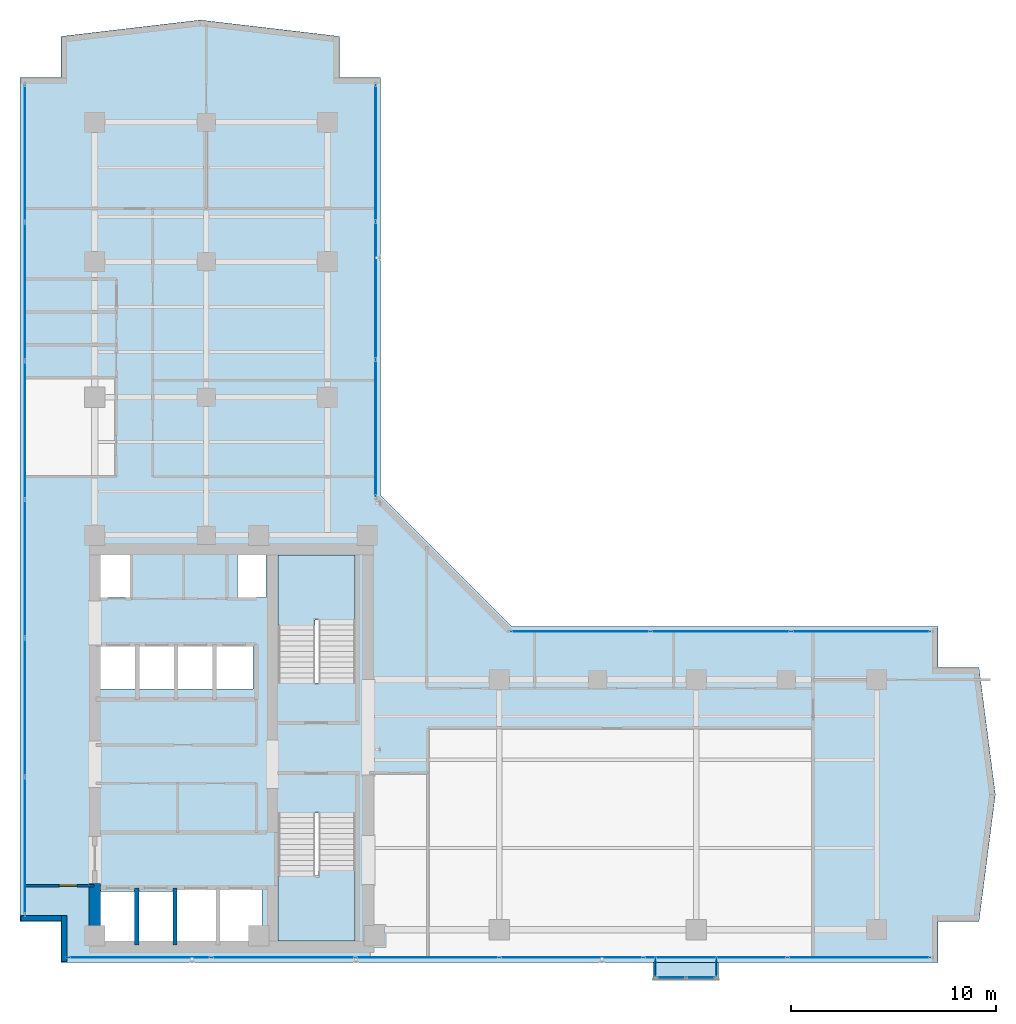
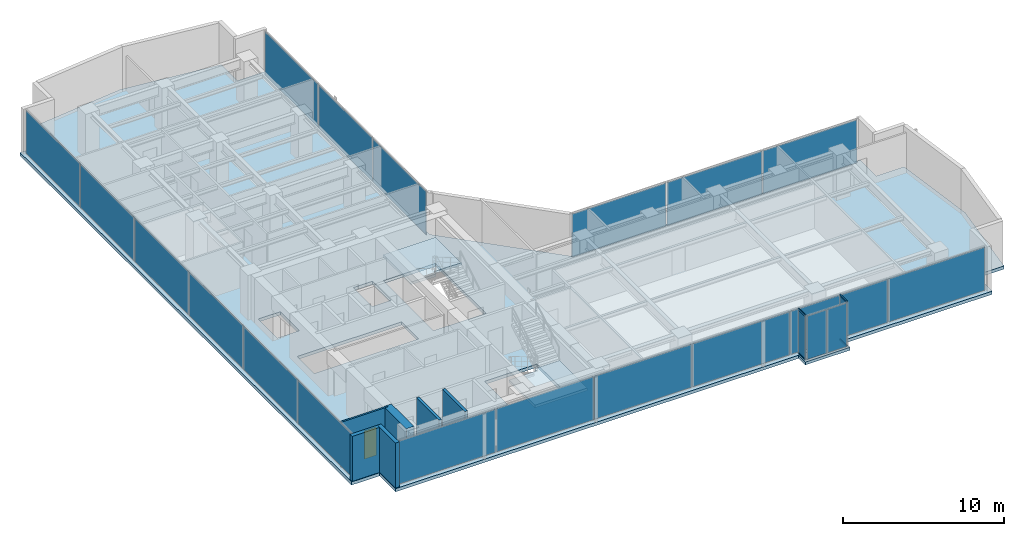
# One storey, part 16 of 24: 22 plates, 6 walls, 4 members, 4 slabs, 1 door, 1 opening, 9 elements without a shape of their own.
"""IFC4 building model written with IfcOpenShell, lengths in metres."""

from ifc_helpers import new_model, si_unit, direction, frame, frame_2d, origin, origin_with_axes, origin_2d, place, context, subcontext, project, spatial, polyline, rectangle, hollow_rectangle, outline, extrude, source, transform, mapped, material, layer, layer_set, material_profile, profile_set, type_object, element, fill, aggregate, save


model = new_model("IFC4")

# Units and contexts
model_context = context("Model", 3, precision=1e-05, world=origin(), true_north=direction((0.0, 1.0)))
body_context = subcontext(model_context, "Body", "Model", "MODEL_VIEW")
ifc_project = project(units=[si_unit("LENGTHUNIT", "METRE"), si_unit("AREAUNIT", "SQUARE_METRE"), si_unit("VOLUMEUNIT", "CUBIC_METRE"), si_unit("PLANEANGLEUNIT", "RADIAN"), si_unit("MASSUNIT", "GRAM", prefix="KILO")], contexts=[model_context])

# Site, building, storey
site_placement = place(None, origin())
site = spatial("IfcSite", under=ifc_project, at=site_placement, CompositionType="ELEMENT")
building_placement = place(site_placement, origin())
building = spatial("IfcBuilding", under=site, at=building_placement, Name="Kolvaren Waterfront Exchange", CompositionType="ELEMENT")
storey_placement = place(building_placement, frame((0.0, 0.0, 253.89990234375)))
storey = spatial("IfcBuildingStorey", under=building, at=storey_placement, Name="L65", CompositionType="ELEMENT", Elevation=253.89990234375)

# Curtain wall, members
ifc_material_1 = material(Name="Anodised bronze aluminium 6063-T6", Category="aluminium")
ifc_layer_1 = layer(ifc_material_1, 0.219970703125, Name="Anodised bronze aluminium 6063-T6")
ifc_layer_set_1 = layer_set([ifc_layer_1], Name="Anodised bronze aluminium 6063-T6")
curtain_wall_type_1 = type_object("IfcCurtainWallType", Name="ARC-CW-SYS3", PredefinedType="USERDEFINED", material=ifc_layer_set_1)
curtain_wall_1_placement = place(storey_placement, origin())
curtain_wall_1 = element("IfcCurtainWall", 1, at=curtain_wall_1_placement, inside=storey, type_object=curtain_wall_type_1, Name="L65 stick curtain wall CW3 (CW-L65-BOX-W)", ObjectType="STICK CURTAIN WALL", PredefinedType="USERDEFINED")
ifc_material_profile = material_profile(ifc_material_1, hollow_rectangle(XDim=0.06494140625, YDim=0.1298828125, WallThickness=0.00390625, at=origin_2d()), Name="ALU-TRN-130x65x4")
ifc_profile_set = profile_set([ifc_material_profile], Name="Anodised bronze aluminium 6063-T6")
member_type = type_object("IfcMemberType", Name="ARC-CWT-130", PredefinedType="USERDEFINED", material=ifc_profile_set)
shared_shape_1 = source(origin_with_axes(), body_context, "Body", "SweptSolid", [
    extrude(hollow_rectangle(XDim=0.06494140625, YDim=0.1298828125, WallThickness=0.00390625, at=origin_2d()), origin(), (0.0, 0.0, 1.0), 0.829833984375),
])
member_1_placement = place(storey_placement, frame((34.81005859375, 3.764892578125, 0.03271484375), z_axis=(0.0, -1.0, 0.0), x_axis=(1.0, 0.0, 0.0)))
member_1 = element("IfcMember", 2, at=member_1_placement, type_object=member_type, Name="CW3 transom 1.1", ObjectType="TRANSOM", PredefinedType="USERDEFINED", context=body_context, shape_type="MappedRepresentation", body=[
    mapped(shared_shape_1, transform((0.0, 0.0, 0.0), x_axis=(1.0, 0.0, 0.0), y_axis=(0.0, 1.0, 0.0), z_axis=(0.0, 0.0, 1.0), scale=1.0)),
])
member_2_placement = place(storey_placement, frame((34.81005859375, 3.764892578125, 3.3876953125), z_axis=(0.0, -1.0, 0.0), x_axis=(1.0, 0.0, 0.0)))
member_2 = element("IfcMember", 3, at=member_2_placement, type_object=member_type, Name="CW3 transom 1.2", ObjectType="TRANSOM", PredefinedType="USERDEFINED", context=body_context, shape_type="MappedRepresentation", body=[
    mapped(shared_shape_1, transform((0.0, 0.0, 0.0), x_axis=(1.0, 0.0, 0.0), y_axis=(0.0, 1.0, 0.0), z_axis=(0.0, 0.0, 1.0), scale=1.0)),
])

curtain_wall_2_placement = place(storey_placement, origin())
curtain_wall_2 = element("IfcCurtainWall", 4, at=curtain_wall_2_placement, inside=storey, type_object=curtain_wall_type_1, Name="L65 stick curtain wall CW3 (CW-L65-BOX-E)", ObjectType="STICK CURTAIN WALL", PredefinedType="USERDEFINED")
member_3_placement = place(storey_placement, frame((37.7900390625, 2.93505859375, 0.03271484375), z_axis=(0.0, 1.0, 0.0), x_axis=(-1.0, 0.0, 0.0)))
member_3 = element("IfcMember", 5, at=member_3_placement, type_object=member_type, Name="CW3 transom 1.1", ObjectType="TRANSOM", PredefinedType="USERDEFINED", context=body_context, shape_type="MappedRepresentation", body=[
    mapped(shared_shape_1, transform((0.0, 0.0, 0.0), x_axis=(1.0, 0.0, 0.0), y_axis=(0.0, 1.0, 0.0), z_axis=(0.0, 0.0, 1.0), scale=1.0)),
])
member_4_placement = place(storey_placement, frame((37.7900390625, 2.93505859375, 3.3876953125), z_axis=(0.0, 1.0, 0.0), x_axis=(-1.0, 0.0, 0.0)))
member_4 = element("IfcMember", 6, at=member_4_placement, type_object=member_type, Name="CW3 transom 1.2", ObjectType="TRANSOM", PredefinedType="USERDEFINED", context=body_context, shape_type="MappedRepresentation", body=[
    mapped(shared_shape_1, transform((0.0, 0.0, 0.0), x_axis=(1.0, 0.0, 0.0), y_axis=(0.0, 1.0, 0.0), z_axis=(0.0, 0.0, 1.0), scale=1.0)),
])

# Stair, slab
ifc_material_2 = material(Name="Concrete C40/50", Category="concrete")
stair_type = type_object("IfcStairType", Name="ARC-STAIR-3800", PredefinedType="HALF_TURN_STAIR", material=ifc_material_2)
stair_1_placement = place(storey_placement, origin())
stair_1 = element("IfcStair", 7, at=stair_1_placement, inside=storey, type_object=stair_type, Name="L65 Smoke-proof exit stair ST1", PredefinedType="HALF_TURN_STAIR")
ifc_layer_2 = layer(ifc_material_2, 0.199951171875, Name="Concrete C40/50")
ifc_layer_set_2 = layer_set([ifc_layer_2], Name="Concrete C40/50")
slab_type_1 = type_object("IfcSlabType", Name="STR-LANDING-200", PredefinedType="LANDING", material=ifc_layer_set_2)
slab_1_placement = place(storey_placement, frame((0.0, 0.0, 1.776123046875)))
slab_1 = element("IfcSlab", 8, at=slab_1_placement, type_object=slab_type_1, Name="ST1 landing 1", PredefinedType="LANDING", context=body_context, shape_type="SweptSolid", body=[
    extrude(outline(polyline([(16.39990234375, 7.840087890625), (16.39990234375, 4.64990234375), (20.159912109375, 4.64990234375), (20.159912109375, 8.10009765625), (18.360107421875, 8.10009765625), (18.360107421875, 7.840087890625), (16.39990234375, 7.840087890625)])), origin(), (0.0, 0.0, 1.0), 0.199951171875),
])
aggregate(stair_1, [slab_1])

stair_2_placement = place(storey_placement, origin())
stair_2 = element("IfcStair", 9, at=stair_2_placement, inside=storey, type_object=stair_type, Name="L65 Smoke-proof exit stair ST2", PredefinedType="HALF_TURN_STAIR")
slab_2_placement = place(storey_placement, frame((0.0, 0.0, 1.776123046875)))
slab_2 = element("IfcSlab", 10, at=slab_2_placement, type_object=slab_type_1, Name="ST2 landing 1", PredefinedType="LANDING", context=body_context, shape_type="SweptSolid", body=[
    extrude(outline(polyline([(20.159912109375, 20.31005859375), (20.159912109375, 23.5), (16.39990234375, 23.5), (16.39990234375, 20.050048828125), (18.199951171875, 20.050048828125), (18.199951171875, 20.31005859375), (20.159912109375, 20.31005859375)])), origin(), (0.0, 0.0, 1.0), 0.199951171875),
])
aggregate(stair_2, [slab_2])

# Slabs
ifc_layer_3 = layer(ifc_material_2, 0.239990234375, Name="Concrete C40/50")
ifc_layer_set_3 = layer_set([ifc_layer_3], Name="Concrete C40/50")
slab_type_2 = type_object("IfcSlabType", Name="STR-SLAB-240", PredefinedType="FLOOR", material=ifc_layer_set_3)
slab_3_placement = place(storey_placement, frame((0.0, 0.0, -0.239990234375)))
element("IfcSlab", 11, at=slab_3_placement, inside=storey, type_object=slab_type_2, Name="L65 structural floor slab", PredefinedType="FLOOR", context=body_context, shape_type="SweptSolid", body=[
    extrude(outline(polyline([(5.800048828125, 3.60009765625), (48.60009765625, 3.60009765625), (48.60009765625, 5.60009765625), (50.60009765625, 5.60009765625), (51.39990234375, 11.800048828125), (50.60009765625, 18.0), (48.60009765625, 18.0), (48.60009765625, 20.0), (27.800048828125, 20.0), (21.39990234375, 26.39990234375), (21.39990234375, 46.800048828125), (19.39990234375, 46.800048828125), (19.39990234375, 48.800048828125), (12.60009765625, 49.60009765625), (5.800048828125, 48.800048828125), (5.800048828125, 46.800048828125), (3.800048828125, 46.800048828125), (3.800048828125, 5.60009765625), (5.800048828125, 5.60009765625), (5.800048828125, 3.60009765625)]), holes=[polyline([(11.320068359375, 7.260009765625), (15.610107421875, 7.260009765625), (15.610107421875, 4.5400390625), (7.719970703125, 4.5400390625), (7.719970703125, 7.06005859375), (11.320068359375, 7.06005859375), (11.320068359375, 7.260009765625)]), polyline([(20.159912109375, 10.89990234375), (20.159912109375, 4.64990234375), (16.39990234375, 4.64990234375), (16.39990234375, 10.89990234375), (20.159912109375, 10.89990234375)]), polyline([(7.669921875, 19.06005859375), (15.159912109375, 19.06005859375), (15.159912109375, 16.93994140625), (7.669921875, 16.93994140625), (7.669921875, 19.06005859375)]), polyline([(16.39990234375, 17.25), (16.39990234375, 23.5), (20.159912109375, 23.5), (20.159912109375, 17.25), (16.39990234375, 17.25)]), polyline([(7.60009765625, 23.780029296875), (9.179931640625, 23.780029296875), (9.179931640625, 21.419921875), (7.60009765625, 21.419921875), (7.60009765625, 23.780029296875)]), polyline([(14.419921875, 23.780029296875), (15.800048828125, 23.780029296875), (15.800048828125, 21.419921875), (14.419921875, 21.419921875), (14.419921875, 23.780029296875)])]), origin(), (0.0, 0.0, 1.0), 0.239990234375),
])
ifc_layer_4 = layer(ifc_material_2, 0.219970703125, Name="Concrete C40/50")
ifc_layer_set_4 = layer_set([ifc_layer_4], Name="Concrete C40/50")
slab_type_3 = type_object("IfcSlabType", Name="STR-TERR-220", PredefinedType="FLOOR", material=ifc_layer_set_4)
slab_4_placement = place(storey_placement, frame((0.0, 0.0, -0.219970703125)))
element("IfcSlab", 12, at=slab_4_placement, inside=storey, type_object=slab_type_3, Name="L65 projecting bay-box floor strip", PredefinedType="FLOOR", context=body_context, shape_type="SweptSolid", body=[
    extrude(outline(polyline([(34.699951171875, 2.75), (37.89990234375, 2.75), (37.89990234375, 3.60009765625), (34.699951171875, 3.60009765625), (34.699951171875, 2.75)])), origin(), (0.0, 0.0, 1.0), 0.219970703125),
])

# Plate
ifc_material_3 = material(Name="Bronze tinted bay-box vision glass", Category="aluminium")
ifc_layer_5 = layer(ifc_material_3, 0.02392578125, Name="Bronze tinted bay-box vision glass")
ifc_layer_set_5 = layer_set([ifc_layer_5], Name="Bronze tinted bay-box vision glass")
plate_type_1 = type_object("IfcPlateType", Name="ARC-CWP-24", PredefinedType="CURTAIN_PANEL", material=ifc_layer_set_5)
shared_shape_2 = source(origin_with_axes(), body_context, "Body", "SweptSolid", [
    extrude(rectangle(XDim=0.830078125, YDim=0.02392578125, at=origin_2d()), origin(), (0.0, 0.0, 1.0), 3.2900390625),
])
plate_1_placement = place(storey_placement, frame((34.81005859375, 3.35009765625, 0.065185546875), z_axis=(0.0, 0.0, 1.0), x_axis=(0.0, -1.0, 0.0)))
plate_1 = element("IfcPlate", 13, at=plate_1_placement, type_object=plate_type_1, Name="CW3 panel 1.1", PredefinedType="CURTAIN_PANEL", context=body_context, shape_type="MappedRepresentation", body=[
    mapped(shared_shape_2, transform((0.0, 0.0, 0.0), x_axis=(1.0, 0.0, 0.0), y_axis=(0.0, 1.0, 0.0), z_axis=(0.0, 0.0, 1.0), scale=1.0)),
])

aggregate(curtain_wall_1, [member_1, member_2, plate_1])

plate_2_placement = place(storey_placement, frame((37.7900390625, 3.35009765625, 0.065185546875), z_axis=(0.0, 0.0, 1.0), x_axis=(0.0, 1.0, 0.0)))
plate_2 = element("IfcPlate", 14, at=plate_2_placement, type_object=plate_type_1, Name="CW3 panel 1.1", PredefinedType="CURTAIN_PANEL", context=body_context, shape_type="MappedRepresentation", body=[
    mapped(shared_shape_2, transform((0.0, 0.0, 0.0), x_axis=(1.0, 0.0, 0.0), y_axis=(0.0, 1.0, 0.0), z_axis=(0.0, 0.0, 1.0), scale=1.0)),
])

aggregate(curtain_wall_2, [member_3, member_4, plate_2])

# Curtain wall, plates
curtain_wall_3_placement = place(storey_placement, origin())
curtain_wall_3 = element("IfcCurtainWall", 15, at=curtain_wall_3_placement, inside=storey, type_object=curtain_wall_type_1, Name="L65 stick curtain wall CW3 (CW-L65-BOX)", ObjectType="STICK CURTAIN WALL", PredefinedType="USERDEFINED")
shared_shape_3 = source(origin_with_axes(), body_context, "Body", "SweptSolid", [
    extrude(rectangle(XDim=1.37744140625, YDim=0.02392578125, at=origin_2d()), origin(), (0.0, 0.0, 1.0), 3.2900390625),
])
plate_3_placement = place(storey_placement, frame((35.57373046875, 2.860107421875, 0.065185546875), z_axis=(0.0, 0.0, 1.0), x_axis=(1.0, 0.0, 0.0)))
plate_3 = element("IfcPlate", 16, at=plate_3_placement, type_object=plate_type_1, Name="CW3 panel 1.1", PredefinedType="CURTAIN_PANEL", context=body_context, shape_type="MappedRepresentation", body=[
    mapped(shared_shape_3, transform((0.0, 0.0, 0.0), x_axis=(1.0, 0.0, 0.0), y_axis=(0.0, 1.0, 0.0), z_axis=(0.0, 0.0, 1.0), scale=1.0)),
])
plate_4_placement = place(storey_placement, frame((37.0263671875, 2.860107421875, 0.065185546875), z_axis=(0.0, 0.0, 1.0), x_axis=(1.0, 0.0, 0.0)))
plate_4 = element("IfcPlate", 17, at=plate_4_placement, type_object=plate_type_1, Name="CW3 panel 2.1", PredefinedType="CURTAIN_PANEL", context=body_context, shape_type="MappedRepresentation", body=[
    mapped(shared_shape_3, transform((0.0, 0.0, 0.0), x_axis=(1.0, 0.0, 0.0), y_axis=(0.0, 1.0, 0.0), z_axis=(0.0, 0.0, 1.0), scale=1.0)),
])
aggregate(curtain_wall_3, [plate_3, plate_4])

ifc_material_4 = material(Name="Anodised aluminium 6063-T6", Category="aluminium")
ifc_layer_6 = layer(ifc_material_4, 0.219970703125, Name="Anodised aluminium 6063-T6")
ifc_layer_set_6 = layer_set([ifc_layer_6], Name="Anodised aluminium 6063-T6")
curtain_wall_type_2 = type_object("IfcCurtainWallType", Name="ARC-CW-SYS2", PredefinedType="USERDEFINED", material=ifc_layer_set_6)
curtain_wall_4_placement = place(storey_placement, origin())
curtain_wall_4 = element("IfcCurtainWall", 18, at=curtain_wall_4_placement, inside=storey, type_object=curtain_wall_type_2, Name="L65 stick curtain wall CW2 (CW-L65-W)", ObjectType="STICK CURTAIN WALL", PredefinedType="USERDEFINED")
ifc_material_5 = material(Name="Acoustic laminated vision glass", Category="glass")
ifc_layer_7 = layer(ifc_material_5, 0.031982421875, Name="Acoustic laminated vision glass")
ifc_layer_set_7 = layer_set([ifc_layer_7], Name="Acoustic laminated vision glass")
plate_type_2 = type_object("IfcPlateType", Name="ARC-CWP-32", PredefinedType="CURTAIN_PANEL", material=ifc_layer_set_7)
shared_shape_4 = source(origin_with_axes(), body_context, "Body", "SweptSolid", [
    extrude(rectangle(XDim=6.646728515625, YDim=0.031982421875, at=origin_2d()), origin(), (0.0, 0.0, 1.0), 3.27001953125),
])
plate_5_placement = place(storey_placement, frame((4.0400390625, 9.30322265625, 0.0751953125), z_axis=(0.0, 0.0, 1.0), x_axis=(0.0, 1.0, 0.0)))
plate_5 = element("IfcPlate", 19, at=plate_5_placement, type_object=plate_type_2, Name="CW2 panel 1.1", PredefinedType="CURTAIN_PANEL", context=body_context, shape_type="MappedRepresentation", body=[
    mapped(shared_shape_4, transform((0.0, 0.0, 0.0), x_axis=(1.0, 0.0, 0.0), y_axis=(0.0, 1.0, 0.0), z_axis=(0.0, 0.0, 1.0), scale=1.0)),
])
plate_6_placement = place(storey_placement, frame((4.0400390625, 43.0966796875, 0.0751953125), z_axis=(0.0, 0.0, 1.0), x_axis=(0.0, 1.0, 0.0)))
plate_6 = element("IfcPlate", 20, at=plate_6_placement, type_object=plate_type_2, Name="CW2 panel 6.1", PredefinedType="CURTAIN_PANEL", context=body_context, shape_type="MappedRepresentation", body=[
    mapped(shared_shape_4, transform((0.0, 0.0, 0.0), x_axis=(1.0, 0.0, 0.0), y_axis=(0.0, 1.0, 0.0), z_axis=(0.0, 0.0, 1.0), scale=1.0)),
])
shared_shape_5 = source(origin_with_axes(), body_context, "Body", "SweptSolid", [
    extrude(rectangle(XDim=6.686767578125, YDim=0.031982421875, at=origin_2d()), origin(), (0.0, 0.0, 1.0), 3.27001953125),
])
plate_7_placement = place(storey_placement, frame((4.0400390625, 16.050048828125, 0.0751953125), z_axis=(0.0, 0.0, 1.0), x_axis=(0.0, 1.0, 0.0)))
plate_7 = element("IfcPlate", 21, at=plate_7_placement, type_object=plate_type_2, Name="CW2 panel 2.1", PredefinedType="CURTAIN_PANEL", context=body_context, shape_type="MappedRepresentation", body=[
    mapped(shared_shape_5, transform((0.0, 0.0, 0.0), x_axis=(1.0, 0.0, 0.0), y_axis=(0.0, 1.0, 0.0), z_axis=(0.0, 0.0, 1.0), scale=1.0)),
])
plate_8_placement = place(storey_placement, frame((4.0400390625, 22.816650390625, 0.0751953125), z_axis=(0.0, 0.0, 1.0), x_axis=(0.0, 1.0, 0.0)))
plate_8 = element("IfcPlate", 22, at=plate_8_placement, type_object=plate_type_2, Name="CW2 panel 3.1", PredefinedType="CURTAIN_PANEL", context=body_context, shape_type="MappedRepresentation", body=[
    mapped(shared_shape_5, transform((0.0, 0.0, 0.0), x_axis=(1.0, 0.0, 0.0), y_axis=(0.0, 1.0, 0.0), z_axis=(0.0, 0.0, 1.0), scale=1.0)),
])
plate_9_placement = place(storey_placement, frame((4.0400390625, 29.583251953125, 0.0751953125), z_axis=(0.0, 0.0, 1.0), x_axis=(0.0, 1.0, 0.0)))
plate_9 = element("IfcPlate", 23, at=plate_9_placement, type_object=plate_type_2, Name="CW2 panel 4.1", PredefinedType="CURTAIN_PANEL", context=body_context, shape_type="MappedRepresentation", body=[
    mapped(shared_shape_5, transform((0.0, 0.0, 0.0), x_axis=(1.0, 0.0, 0.0), y_axis=(0.0, 1.0, 0.0), z_axis=(0.0, 0.0, 1.0), scale=1.0)),
])
plate_10_placement = place(storey_placement, frame((4.0400390625, 36.35009765625, 0.0751953125), z_axis=(0.0, 0.0, 1.0), x_axis=(0.0, 1.0, 0.0)))
plate_10 = element("IfcPlate", 24, at=plate_10_placement, type_object=plate_type_2, Name="CW2 panel 5.1", PredefinedType="CURTAIN_PANEL", context=body_context, shape_type="MappedRepresentation", body=[
    mapped(shared_shape_5, transform((0.0, 0.0, 0.0), x_axis=(1.0, 0.0, 0.0), y_axis=(0.0, 1.0, 0.0), z_axis=(0.0, 0.0, 1.0), scale=1.0)),
])
aggregate(curtain_wall_4, [plate_5, plate_7, plate_8, plate_9, plate_10, plate_6])

ifc_layer_8 = layer(ifc_material_1, 0.219970703125, Name="Anodised bronze aluminium 6063-T6")
ifc_layer_set_8 = layer_set([ifc_layer_8], Name="Anodised bronze aluminium 6063-T6")
curtain_wall_type_3 = type_object("IfcCurtainWallType", Name="ARC-CW-SYS1", PredefinedType="USERDEFINED", material=ifc_layer_set_8)
curtain_wall_5_placement = place(storey_placement, origin())
curtain_wall_5 = element("IfcCurtainWall", 25, at=curtain_wall_5_placement, inside=storey, type_object=curtain_wall_type_3, Name="L65 stick curtain wall CW1 (CW-L65-S)", ObjectType="STICK CURTAIN WALL", PredefinedType="USERDEFINED")
ifc_material_6 = material(Name="Bronze solar control vision glass", Category="aluminium")
ifc_layer_9 = layer(ifc_material_6, 0.028076171875, Name="Bronze solar control vision glass")
ifc_layer_set_9 = layer_set([ifc_layer_9], Name="Bronze solar control vision glass")
plate_type_3 = type_object("IfcPlateType", Name="ARC-CWP-28", PredefinedType="CURTAIN_PANEL", material=ifc_layer_set_9)
shared_shape_6 = source(origin_with_axes(), body_context, "Body", "SweptSolid", [
    extrude(rectangle(XDim=6.913330078125, YDim=0.028076171875, at=origin_2d()), origin(), (0.0, 0.0, 1.0), 3.27001953125),
])
plate_11_placement = place(storey_placement, frame((9.63671875, 3.840087890625, 0.0751953125), z_axis=(0.0, 0.0, 1.0), x_axis=(1.0, 0.0, 0.0)))
plate_11 = element("IfcPlate", 26, at=plate_11_placement, type_object=plate_type_3, Name="CW1 panel 1.1", PredefinedType="CURTAIN_PANEL", context=body_context, shape_type="MappedRepresentation", body=[
    mapped(shared_shape_6, transform((0.0, 0.0, 0.0), x_axis=(1.0, 0.0, 0.0), y_axis=(0.0, 1.0, 0.0), z_axis=(0.0, 0.0, 1.0), scale=1.0)),
])
plate_12_placement = place(storey_placement, frame((44.763427734375, 3.840087890625, 0.0751953125), z_axis=(0.0, 0.0, 1.0), x_axis=(1.0, 0.0, 0.0)))
plate_12 = element("IfcPlate", 27, at=plate_12_placement, type_object=plate_type_3, Name="CW1 panel 6.1", PredefinedType="CURTAIN_PANEL", context=body_context, shape_type="MappedRepresentation", body=[
    mapped(shared_shape_6, transform((0.0, 0.0, 0.0), x_axis=(1.0, 0.0, 0.0), y_axis=(0.0, 1.0, 0.0), z_axis=(0.0, 0.0, 1.0), scale=1.0)),
])
shared_shape_7 = source(origin_with_axes(), body_context, "Body", "SweptSolid", [
    extrude(rectangle(XDim=6.953369140625, YDim=0.028076171875, at=origin_2d()), origin(), (0.0, 0.0, 1.0), 3.27001953125),
])
plate_13_placement = place(storey_placement, frame((16.64990234375, 3.840087890625, 0.0751953125), z_axis=(0.0, 0.0, 1.0), x_axis=(1.0, 0.0, 0.0)))
plate_13 = element("IfcPlate", 28, at=plate_13_placement, type_object=plate_type_3, Name="CW1 panel 2.1", PredefinedType="CURTAIN_PANEL", context=body_context, shape_type="MappedRepresentation", body=[
    mapped(shared_shape_7, transform((0.0, 0.0, 0.0), x_axis=(1.0, 0.0, 0.0), y_axis=(0.0, 1.0, 0.0), z_axis=(0.0, 0.0, 1.0), scale=1.0)),
])
plate_14_placement = place(storey_placement, frame((23.683349609375, 3.840087890625, 0.0751953125), z_axis=(0.0, 0.0, 1.0), x_axis=(1.0, 0.0, 0.0)))
plate_14 = element("IfcPlate", 29, at=plate_14_placement, type_object=plate_type_3, Name="CW1 panel 3.1", PredefinedType="CURTAIN_PANEL", context=body_context, shape_type="MappedRepresentation", body=[
    mapped(shared_shape_7, transform((0.0, 0.0, 0.0), x_axis=(1.0, 0.0, 0.0), y_axis=(0.0, 1.0, 0.0), z_axis=(0.0, 0.0, 1.0), scale=1.0)),
])
plate_15_placement = place(storey_placement, frame((30.716552734375, 3.840087890625, 0.0751953125), z_axis=(0.0, 0.0, 1.0), x_axis=(1.0, 0.0, 0.0)))
plate_15 = element("IfcPlate", 30, at=plate_15_placement, type_object=plate_type_3, Name="CW1 panel 4.1", PredefinedType="CURTAIN_PANEL", context=body_context, shape_type="MappedRepresentation", body=[
    mapped(shared_shape_7, transform((0.0, 0.0, 0.0), x_axis=(1.0, 0.0, 0.0), y_axis=(0.0, 1.0, 0.0), z_axis=(0.0, 0.0, 1.0), scale=1.0)),
])
plate_16_placement = place(storey_placement, frame((37.75, 3.840087890625, 0.0751953125), z_axis=(0.0, 0.0, 1.0), x_axis=(1.0, 0.0, 0.0)))
plate_16 = element("IfcPlate", 31, at=plate_16_placement, type_object=plate_type_3, Name="CW1 panel 5.1", PredefinedType="CURTAIN_PANEL", context=body_context, shape_type="MappedRepresentation", body=[
    mapped(shared_shape_7, transform((0.0, 0.0, 0.0), x_axis=(1.0, 0.0, 0.0), y_axis=(0.0, 1.0, 0.0), z_axis=(0.0, 0.0, 1.0), scale=1.0)),
])
aggregate(curtain_wall_5, [plate_11, plate_13, plate_14, plate_15, plate_16, plate_12])

curtain_wall_6_placement = place(storey_placement, origin())
curtain_wall_6 = element("IfcCurtainWall", 32, at=curtain_wall_6_placement, inside=storey, type_object=curtain_wall_type_3, Name="L65 stick curtain wall CW1 (CW-L65-NE)", ObjectType="STICK CURTAIN WALL", PredefinedType="USERDEFINED")
shared_shape_8 = source(origin_with_axes(), body_context, "Body", "SweptSolid", [
    extrude(rectangle(XDim=6.61669921875, YDim=0.028076171875, at=origin_2d()), origin(), (0.0, 0.0, 1.0), 3.27001953125),
])
plate_17_placement = place(storey_placement, frame((21.159912109375, 29.67822265625, 0.0751953125), z_axis=(0.0, 0.0, 1.0), x_axis=(0.0, 1.0, 0.0)))
plate_17 = element("IfcPlate", 33, at=plate_17_placement, type_object=plate_type_3, Name="CW1 panel 1.1", PredefinedType="CURTAIN_PANEL", context=body_context, shape_type="MappedRepresentation", body=[
    mapped(shared_shape_8, transform((0.0, 0.0, 0.0), x_axis=(1.0, 0.0, 0.0), y_axis=(0.0, 1.0, 0.0), z_axis=(0.0, 0.0, 1.0), scale=1.0)),
])
plate_18_placement = place(storey_placement, frame((21.159912109375, 43.111572265625, 0.0751953125), z_axis=(0.0, 0.0, 1.0), x_axis=(0.0, 1.0, 0.0)))
plate_18 = element("IfcPlate", 34, at=plate_18_placement, type_object=plate_type_3, Name="CW1 panel 3.1", PredefinedType="CURTAIN_PANEL", context=body_context, shape_type="MappedRepresentation", body=[
    mapped(shared_shape_8, transform((0.0, 0.0, 0.0), x_axis=(1.0, 0.0, 0.0), y_axis=(0.0, 1.0, 0.0), z_axis=(0.0, 0.0, 1.0), scale=1.0)),
])
shared_shape_9 = source(origin_with_axes(), body_context, "Body", "SweptSolid", [
    extrude(rectangle(XDim=6.65673828125, YDim=0.028076171875, at=origin_2d()), origin(), (0.0, 0.0, 1.0), 3.27001953125),
])
plate_19_placement = place(storey_placement, frame((21.159912109375, 36.39501953125, 0.0751953125), z_axis=(0.0, 0.0, 1.0), x_axis=(0.0, 1.0, 0.0)))
plate_19 = element("IfcPlate", 35, at=plate_19_placement, type_object=plate_type_3, Name="CW1 panel 2.1", PredefinedType="CURTAIN_PANEL", context=body_context, shape_type="MappedRepresentation", body=[
    mapped(shared_shape_9, transform((0.0, 0.0, 0.0), x_axis=(1.0, 0.0, 0.0), y_axis=(0.0, 1.0, 0.0), z_axis=(0.0, 0.0, 1.0), scale=1.0)),
])
aggregate(curtain_wall_6, [plate_17, plate_19, plate_18])

curtain_wall_7_placement = place(storey_placement, origin())
curtain_wall_7 = element("IfcCurtainWall", 36, at=curtain_wall_7_placement, inside=storey, type_object=curtain_wall_type_3, Name="L65 stick curtain wall CW1 (CW-L65-EN)", ObjectType="STICK CURTAIN WALL", PredefinedType="USERDEFINED")
shared_shape_10 = source(origin_with_axes(), body_context, "Body", "SweptSolid", [
    extrude(rectangle(XDim=6.75, YDim=0.028076171875, at=origin_2d()), origin(), (0.0, 0.0, 1.0), 3.27001953125),
])
plate_20_placement = place(storey_placement, frame((31.14501953125, 19.760009765625, 0.0751953125), z_axis=(0.0, 0.0, 1.0), x_axis=(1.0, 0.0, 0.0)))
plate_20 = element("IfcPlate", 37, at=plate_20_placement, type_object=plate_type_3, Name="CW1 panel 1.1", PredefinedType="CURTAIN_PANEL", context=body_context, shape_type="MappedRepresentation", body=[
    mapped(shared_shape_10, transform((0.0, 0.0, 0.0), x_axis=(1.0, 0.0, 0.0), y_axis=(0.0, 1.0, 0.0), z_axis=(0.0, 0.0, 1.0), scale=1.0)),
])
plate_21_placement = place(storey_placement, frame((44.844970703125, 19.760009765625, 0.0751953125), z_axis=(0.0, 0.0, 1.0), x_axis=(1.0, 0.0, 0.0)))
plate_21 = element("IfcPlate", 38, at=plate_21_placement, type_object=plate_type_3, Name="CW1 panel 3.1", PredefinedType="CURTAIN_PANEL", context=body_context, shape_type="MappedRepresentation", body=[
    mapped(shared_shape_10, transform((0.0, 0.0, 0.0), x_axis=(1.0, 0.0, 0.0), y_axis=(0.0, 1.0, 0.0), z_axis=(0.0, 0.0, 1.0), scale=1.0)),
])
shared_shape_11 = source(origin_with_axes(), body_context, "Body", "SweptSolid", [
    extrude(rectangle(XDim=6.7900390625, YDim=0.028076171875, at=origin_2d()), origin(), (0.0, 0.0, 1.0), 3.27001953125),
])
plate_22_placement = place(storey_placement, frame((37.9951171875, 19.760009765625, 0.0751953125), z_axis=(0.0, 0.0, 1.0), x_axis=(1.0, 0.0, 0.0)))
plate_22 = element("IfcPlate", 39, at=plate_22_placement, type_object=plate_type_3, Name="CW1 panel 2.1", PredefinedType="CURTAIN_PANEL", context=body_context, shape_type="MappedRepresentation", body=[
    mapped(shared_shape_11, transform((0.0, 0.0, 0.0), x_axis=(1.0, 0.0, 0.0), y_axis=(0.0, 1.0, 0.0), z_axis=(0.0, 0.0, 1.0), scale=1.0)),
])
aggregate(curtain_wall_7, [plate_20, plate_22, plate_21])

# Walls
ifc_material_7 = material(Name="Precast concrete C40/50", Category="concrete")
ifc_layer_10 = layer(ifc_material_7, 0.280029296875, Name="Precast concrete C40/50")
ifc_layer_set_10 = layer_set([ifc_layer_10], Name="Precast concrete C40/50")
wall_type_1 = type_object("IfcWallType", Name="ARC-EXT-TERR-280", PredefinedType="SOLIDWALL", material=ifc_layer_set_10)
wall_1_placement = place(storey_placement, frame((5.9599609375, 3.659912109375, 0.0), z_axis=(0.0, 0.0, 1.0), x_axis=(0.0, 1.0, 0.0)))
element("IfcWall", 40, at=wall_1_placement, inside=storey, type_object=wall_type_1, Name="L65 notched corner spandrel pier SW-A", PredefinedType="SOLIDWALL", context=body_context, shape_type="SweptSolid", body=[
    extrude(rectangle(XDim=2.239990234375, YDim=0.280029296875, at=frame_2d((1.1201171875, 0.0))), origin(), (0.0, 0.0, 1.0), 3.420166015625),
])
wall_2_placement = place(storey_placement, frame((3.860107421875, 5.760009765625, 0.0), z_axis=(0.0, 0.0, 1.0), x_axis=(1.0, 0.0, 0.0)))
element("IfcWall", 41, at=wall_2_placement, inside=storey, type_object=wall_type_1, Name="L65 notched corner spandrel pier SW-B", PredefinedType="SOLIDWALL", context=body_context, shape_type="SweptSolid", body=[
    extrude(rectangle(XDim=1.9599609375, YDim=0.280029296875, at=frame_2d((0.97998046875, 0.0))), origin(), (0.0, 0.0, 1.0), 3.420166015625),
])

# Wall, opening, door
ifc_material_8 = material(Name="Acoustic gypsum steel stud", Category="steel")
ifc_layer_11 = layer(ifc_material_8, 0.125, Name="Acoustic gypsum steel stud")
ifc_layer_set_11 = layer_set([ifc_layer_11], Name="Acoustic gypsum steel stud")
wall_type_2 = type_object("IfcWallType", Name="ARC-PART-125", PredefinedType="PARTITIONING", material=ifc_layer_set_11)
wall_3_placement = place(storey_placement, frame((4.0400390625, 7.35009765625, 0.0), z_axis=(0.0, 0.0, 1.0), x_axis=(1.0, 0.0, 0.0)))
wall_3 = element("IfcWall", 42, at=wall_3_placement, inside=storey, type_object=wall_type_2, Name="L65 interior wall PW-L65-SWC-N", PredefinedType="PARTITIONING", context=body_context, shape_type="SweptSolid", body=[
    extrude(rectangle(XDim=3.35986328125, YDim=0.125, at=frame_2d((1.679931640625, 0.0))), origin(), (0.0, 0.0, 1.0), 3.420166015625),
])
opening_placement = place(wall_3_placement, frame((1.686767578125, 0.0, 0.0)))
opening = element("IfcOpeningElement", 43, at=opening_placement, cuts=wall_3, Name="Opening D01", PredefinedType="OPENING", context=body_context, shape_type="SweptSolid", body=[
    extrude(rectangle(XDim=0.85009765625, YDim=2.14990234375, at=frame_2d((0.425048828125, 1.074951171875))), frame((0.0, 0.072509765625, 0.0), z_axis=(0.0, -1.0, 0.0), x_axis=(1.0, 0.0, 0.0)), (0.0, 0.0, 1.0), 0.14501953125),
])
ifc_material_9 = material(Name="Oak veneer timber leaf", Category="wood")
door_type = type_object("IfcDoorType", Name="ARC-DR-900", OperationType="NOTDEFINED", PredefinedType="DOOR", material=ifc_material_9)
door_placement = place(opening_placement, origin())
door = element("IfcDoor", 44, at=door_placement, inside=storey, type_object=door_type, Name="L65 door DR-L65-SWC-D (D01)", OperationType="SINGLE_SWING_RIGHT", OverallHeight=2.14990234375, OverallWidth=0.85009765625, PredefinedType="DOOR", context=body_context, shape_type="SweptSolid", body=[
    extrude(rectangle(XDim=0.85009765625, YDim=2.14990234375, at=frame_2d((0.425048828125, 1.074951171875))), frame((0.0, 0.02490234375, 0.0), z_axis=(0.0, -1.0, 0.0), x_axis=(1.0, 0.0, 0.0)), (0.0, 0.0, 1.0), 0.050048828125),
])
fill(opening, door)

# Walls
ifc_layer_12 = layer(ifc_material_2, 0.199951171875, Name="Concrete C40/50")
ifc_layer_set_12 = layer_set([ifc_layer_12], Name="Concrete C40/50")
wall_type_3 = type_object("IfcWallType", Name="ARC-SHAFT-200", PredefinedType="PARTITIONING", material=ifc_layer_set_12)
for number, where, z_axis, x_axis, name in (
    (45, (9.5, 4.449951171875, 0.0), (0.0, 0.0, 1.0), (0.0, 1.0, 0.0), "L65 interior wall PW-L65-SH1-DIV-95"),
    (46, (11.360107421875, 4.449951171875, 0.0), (0.0, 0.0, 1.0), (0.0, 1.0, 0.0), "L65 interior wall PW-L65-SH1-DIV-113"),
):
    element("IfcWall", number, at=place(storey_placement, frame(where, z_axis=z_axis, x_axis=x_axis)), inside=storey, type_object=wall_type_3, Name=name, PredefinedType="PARTITIONING", context=body_context, shape_type="SweptSolid", body=[
        extrude(rectangle(XDim=2.800048828125, YDim=0.199951171875, at=frame_2d((1.39990234375, 0.0))), origin(), (0.0, 0.0, 1.0), 3.420166015625),
    ])
ifc_material_10 = material(Name="Concrete C50/60", Category="concrete")
ifc_layer_13 = layer(ifc_material_10, 0.550048828125, Name="Concrete C50/60")
ifc_layer_set_13 = layer_set([ifc_layer_13], Name="Concrete C50/60")
wall_type_4 = type_object("IfcWallType", Name="STR-CWALL-550", PredefinedType="SHEAR", material=ifc_layer_set_13)
wall_4_placement = place(storey_placement, frame((7.449951171875, 4.64990234375, 0.0), z_axis=(0.0, 0.0, 1.0), x_axis=(0.0, 1.0, 0.0)))
element("IfcWall", 47, at=wall_4_placement, inside=storey, type_object=wall_type_4, Name="L65 rear-core shear wall W1", PredefinedType="SHEAR", context=body_context, shape_type="SweptSolid", body=[
    extrude(rectangle(XDim=2.800048828125, YDim=0.550048828125, at=frame_2d((1.39990234375, 0.0))), origin(), (0.0, 0.0, 1.0), 3.420166015625),
])

save(model, "model.ifc")
